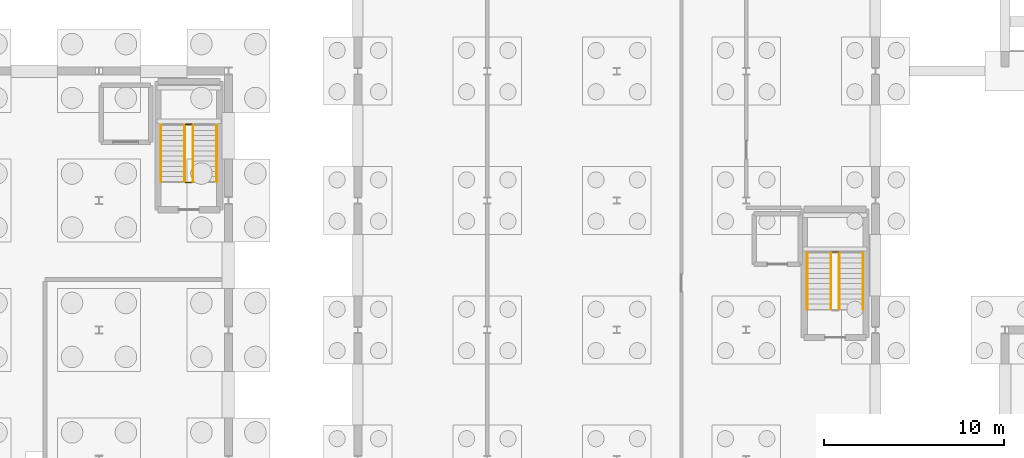
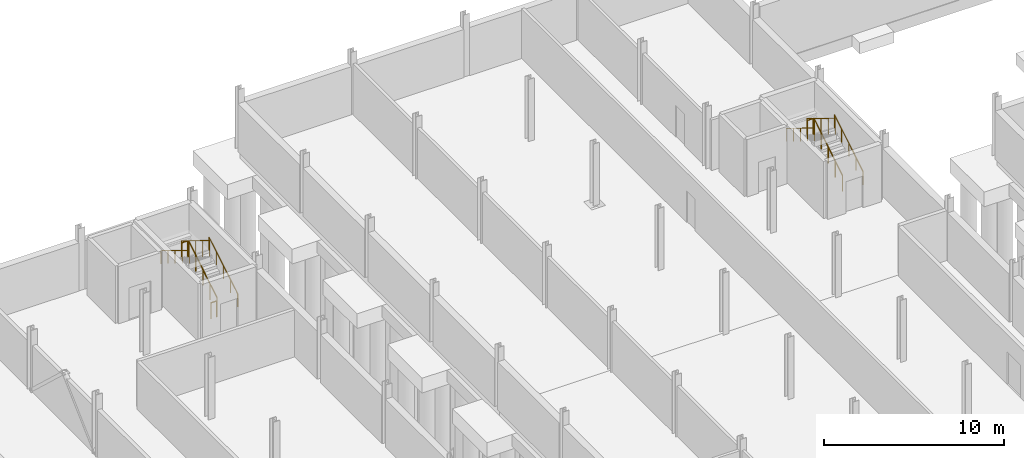
# One storey, part 47 of 50: 11 railings.
"""IFC4 building model written with IfcOpenShell, lengths in metres."""

from ifc_helpers import new_model, si_unit, direction, frame, origin, origin_2d, place, context, subcontext, project, spatial, circle, extrude, material, layer, layer_set, type_object, element, save


model = new_model("IFC4")

# Units and contexts
model_context = context("Model", 3, precision=1e-05, world=origin(), true_north=direction((0.0, 1.0)))
body_context = subcontext(model_context, "Body", "Model", "MODEL_VIEW")
ifc_project = project(units=[si_unit("LENGTHUNIT", "METRE"), si_unit("AREAUNIT", "SQUARE_METRE"), si_unit("VOLUMEUNIT", "CUBIC_METRE"), si_unit("PLANEANGLEUNIT", "RADIAN"), si_unit("MASSUNIT", "GRAM", prefix="KILO")], contexts=[model_context])

# Site, building, storey
site_placement = place(None, origin())
site = spatial("IfcSite", under=ifc_project, at=site_placement, CompositionType="ELEMENT")
building_placement = place(site_placement, origin())
building = spatial("IfcBuilding", under=site, at=building_placement, Name="Narikvali Park Central Library", CompositionType="ELEMENT")
storey_placement = place(building_placement, frame((0.0, 0.0, -4.199951171875)))
storey = spatial("IfcBuildingStorey", under=building, at=storey_placement, Name="B1", CompositionType="ELEMENT", Elevation=-4.199951171875)

# Railings
ifc_material_1 = material(Name="Brushed Stainless Steel S355", Category="steel")
ifc_layer_1 = layer(ifc_material_1, 0.044921875, Name="Brushed Stainless Steel S355")
ifc_layer_set_1 = layer_set([ifc_layer_1], Name="Brushed Stainless Steel S355")
railing_type_1 = type_object("IfcRailingType", Name="Stair Tubular Steel Handrail 900", PredefinedType="HANDRAIL", material=ifc_layer_set_1)
railing_1_placement = place(storey_placement, frame((56.89990234375, 94.75, 0.175048828125)))
element("IfcRailing", 1, at=railing_1_placement, inside=storey, type_object=railing_type_1, Name="B1 ST-08 stair handrail 1", PredefinedType="HANDRAIL", context=body_context, shape_type="SweptSolid", body=[
    extrude(circle(Radius=0.02392578125, at=origin_2d()), frame((0.0, 0.0, 0.8759765625), z_axis=(0.0, 0.852195625947, 0.523223293744), x_axis=(-1.0, 0.0, 0.0)), (0.0, 0.0, 1.0), 3.6787109375),
    extrude(circle(Radius=0.02099609375, at=origin_2d()), origin(), (0.0, 0.0, 1.0), 0.851806640625),
    extrude(circle(Radius=0.02099609375, at=origin_2d()), frame((0.0, 0.78369140625, 0.481201171875)), (0.0, 0.0, 1.0), 0.851806640625),
    extrude(circle(Radius=0.02099609375, at=origin_2d()), frame((0.0, 1.5673828125, 0.96240234375)), (0.0, 0.0, 1.0), 0.851806640625),
    extrude(circle(Radius=0.02099609375, at=origin_2d()), frame((0.0, 2.351318359375, 1.443603515625)), (0.0, 0.0, 1.0), 0.851806640625),
    extrude(circle(Radius=0.02099609375, at=origin_2d()), frame((0.0, 3.135009765625, 1.9248046875)), (0.0, 0.0, 1.0), 0.851806640625),
])
railing_2_placement = place(storey_placement, frame((53.800048828125, 97.885009765625, 2.27490234375)))
element("IfcRailing", 2, at=railing_2_placement, inside=storey, type_object=railing_type_1, Name="B1 ST-08 stair handrail 2", PredefinedType="HANDRAIL", context=body_context, shape_type="SweptSolid", body=[
    extrude(circle(Radius=0.02392578125, at=origin_2d()), frame((0.0, 0.0, 0.8759765625), z_axis=(0.0, -0.852166034122, 0.523271488128), x_axis=(1.0, 0.0, 0.0)), (0.0, 0.0, 1.0), 3.678955078125),
    extrude(circle(Radius=0.02099609375, at=origin_2d()), origin(), (0.0, 0.0, 1.0), 0.851806640625),
    extrude(circle(Radius=0.02099609375, at=origin_2d()), frame((0.0, -0.78369140625, 0.481201171875)), (0.0, 0.0, 1.0), 0.851806640625),
    extrude(circle(Radius=0.02099609375, at=origin_2d()), frame((0.0, -1.5673828125, 0.96240234375)), (0.0, 0.0, 1.0), 0.851806640625),
    extrude(circle(Radius=0.02099609375, at=origin_2d()), frame((0.0, -2.351318359375, 1.44384765625)), (0.0, 0.0, 1.0), 0.851806640625),
    extrude(circle(Radius=0.02099609375, at=origin_2d()), frame((0.0, -3.135009765625, 1.925048828125)), (0.0, 0.0, 1.0), 0.851806640625),
])
railing_3_placement = place(storey_placement, frame((20.949951171875, 101.85009765625, 0.175048828125)))
element("IfcRailing", 3, at=railing_3_placement, inside=storey, type_object=railing_type_1, Name="B1 ST-10 stair handrail 1", PredefinedType="HANDRAIL", context=body_context, shape_type="SweptSolid", body=[
    extrude(circle(Radius=0.02392578125, at=origin_2d()), frame((0.0, 0.0, 0.8759765625), z_axis=(0.0, 0.852195625947, 0.523223293744), x_axis=(-1.0, 0.0, 0.0)), (0.0, 0.0, 1.0), 3.6787109375),
    extrude(circle(Radius=0.02099609375, at=origin_2d()), origin(), (0.0, 0.0, 1.0), 0.851806640625),
    extrude(circle(Radius=0.02099609375, at=origin_2d()), frame((0.0, 0.78369140625, 0.481201171875)), (0.0, 0.0, 1.0), 0.851806640625),
    extrude(circle(Radius=0.02099609375, at=origin_2d()), frame((0.0, 1.5673828125, 0.96240234375)), (0.0, 0.0, 1.0), 0.851806640625),
    extrude(circle(Radius=0.02099609375, at=origin_2d()), frame((0.0, 2.351318359375, 1.443603515625)), (0.0, 0.0, 1.0), 0.851806640625),
    extrude(circle(Radius=0.02099609375, at=origin_2d()), frame((0.0, 3.135009765625, 1.9248046875)), (0.0, 0.0, 1.0), 0.851806640625),
])
railing_4_placement = place(storey_placement, frame((17.85009765625, 104.985107421875, 2.27490234375)))
element("IfcRailing", 4, at=railing_4_placement, inside=storey, type_object=railing_type_1, Name="B1 ST-10 stair handrail 2", PredefinedType="HANDRAIL", context=body_context, shape_type="SweptSolid", body=[
    extrude(circle(Radius=0.02392578125, at=origin_2d()), frame((0.0, 0.0, 0.8759765625), z_axis=(0.0, -0.852166034122, 0.523271488128), x_axis=(1.0, 0.0, 0.0)), (0.0, 0.0, 1.0), 3.678955078125),
    extrude(circle(Radius=0.02099609375, at=origin_2d()), origin(), (0.0, 0.0, 1.0), 0.851806640625),
    extrude(circle(Radius=0.02099609375, at=origin_2d()), frame((0.0, -0.78369140625, 0.481201171875)), (0.0, 0.0, 1.0), 0.851806640625),
    extrude(circle(Radius=0.02099609375, at=origin_2d()), frame((0.0, -1.5673828125, 0.96240234375)), (0.0, 0.0, 1.0), 0.851806640625),
    extrude(circle(Radius=0.02099609375, at=origin_2d()), frame((0.0, -2.351318359375, 1.44384765625)), (0.0, 0.0, 1.0), 0.851806640625),
    extrude(circle(Radius=0.02099609375, at=origin_2d()), frame((0.0, -3.135009765625, 1.925048828125)), (0.0, 0.0, 1.0), 0.851806640625),
])
ifc_material_2 = material(Name="Powder-Coated Steel S275", Category="steel")
ifc_layer_2 = layer(ifc_material_2, 0.050048828125, Name="Powder-Coated Steel S275")
ifc_layer_set_2 = layer_set([ifc_layer_2], Name="Powder-Coated Steel S275")
railing_type_2 = type_object("IfcRailingType", Name="Stair Well Steel Guardrail 1100", PredefinedType="GUARDRAIL", material=ifc_layer_set_2)
railing_5_placement = place(storey_placement, frame((55.580078125, 94.75, 0.175048828125)))
element("IfcRailing", 5, at=railing_5_placement, inside=storey, type_object=railing_type_2, Name="B1 ST-08 stair guard 1", PredefinedType="GUARDRAIL", context=body_context, shape_type="SweptSolid", body=[
    extrude(circle(Radius=0.02392578125, at=origin_2d()), frame((0.0, 0.0, 1.076171875), z_axis=(0.0, 0.852195625947, 0.523223293744), x_axis=(-1.0, 0.0, 0.0)), (0.0, 0.0, 1.0), 3.6787109375),
    extrude(circle(Radius=0.02099609375, at=origin_2d()), origin(), (0.0, 0.0, 1.0), 1.052001953125),
    extrude(circle(Radius=0.02099609375, at=origin_2d()), frame((0.0, 0.78369140625, 0.481201171875)), (0.0, 0.0, 1.0), 1.052001953125),
    extrude(circle(Radius=0.02099609375, at=origin_2d()), frame((0.0, 1.5673828125, 0.96240234375)), (0.0, 0.0, 1.0), 1.052001953125),
    extrude(circle(Radius=0.02099609375, at=origin_2d()), frame((0.0, 2.351318359375, 1.443603515625)), (0.0, 0.0, 1.0), 1.052001953125),
    extrude(circle(Radius=0.02099609375, at=origin_2d()), frame((0.0, 3.135009765625, 1.9248046875)), (0.0, 0.0, 1.0), 1.052001953125),
])
railing_6_placement = place(storey_placement, frame((55.530029296875, 97.93505859375, 2.099853515625)))
element("IfcRailing", 6, at=railing_6_placement, inside=storey, type_object=railing_type_2, Name="B1 ST-08 stair guard 2", PredefinedType="GUARDRAIL", context=body_context, shape_type="SweptSolid", body=[
    extrude(circle(Radius=0.02392578125, at=origin_2d()), frame((0.0, 0.0, 1.076171875), z_axis=(-1.0, 0.0, 0.0), x_axis=(0.0, -1.0, 0.0)), (0.0, 0.0, 1.0), 0.360107421875),
    extrude(circle(Radius=0.02099609375, at=origin_2d()), origin(), (0.0, 0.0, 1.0), 1.052001953125),
    extrude(circle(Radius=0.02099609375, at=origin_2d()), frame((-0.360107421875, 0.0, 0.0)), (0.0, 0.0, 1.0), 1.052001953125),
])
railing_7_placement = place(storey_placement, frame((55.1201171875, 97.885009765625, 2.27490234375)))
element("IfcRailing", 7, at=railing_7_placement, inside=storey, type_object=railing_type_2, Name="B1 ST-08 stair guard 3", PredefinedType="GUARDRAIL", context=body_context, shape_type="SweptSolid", body=[
    extrude(circle(Radius=0.02392578125, at=origin_2d()), frame((0.0, 0.0, 1.076171875), z_axis=(0.0, -0.852166034122, 0.523271488128), x_axis=(1.0, 0.0, 0.0)), (0.0, 0.0, 1.0), 3.678955078125),
    extrude(circle(Radius=0.02099609375, at=origin_2d()), origin(), (0.0, 0.0, 1.0), 1.052001953125),
    extrude(circle(Radius=0.02099609375, at=origin_2d()), frame((0.0, -0.78369140625, 0.481201171875)), (0.0, 0.0, 1.0), 1.052001953125),
    extrude(circle(Radius=0.02099609375, at=origin_2d()), frame((0.0, -1.5673828125, 0.96240234375)), (0.0, 0.0, 1.0), 1.052001953125),
    extrude(circle(Radius=0.02099609375, at=origin_2d()), frame((0.0, -2.351318359375, 1.44384765625)), (0.0, 0.0, 1.0), 1.052001953125),
    extrude(circle(Radius=0.02099609375, at=origin_2d()), frame((0.0, -3.135009765625, 1.925048828125)), (0.0, 0.0, 1.0), 1.052001953125),
])
railing_8_placement = place(storey_placement, frame((19.6298828125, 101.85009765625, 0.175048828125)))
element("IfcRailing", 8, at=railing_8_placement, inside=storey, type_object=railing_type_2, Name="B1 ST-10 stair guard 1", PredefinedType="GUARDRAIL", context=body_context, shape_type="SweptSolid", body=[
    extrude(circle(Radius=0.02392578125, at=origin_2d()), frame((0.0, 0.0, 1.076171875), z_axis=(0.0, 0.852195625947, 0.523223293744), x_axis=(-1.0, 0.0, 0.0)), (0.0, 0.0, 1.0), 3.6787109375),
    extrude(circle(Radius=0.02099609375, at=origin_2d()), origin(), (0.0, 0.0, 1.0), 1.052001953125),
    extrude(circle(Radius=0.02099609375, at=origin_2d()), frame((0.0, 0.78369140625, 0.481201171875)), (0.0, 0.0, 1.0), 1.052001953125),
    extrude(circle(Radius=0.02099609375, at=origin_2d()), frame((0.0, 1.5673828125, 0.96240234375)), (0.0, 0.0, 1.0), 1.052001953125),
    extrude(circle(Radius=0.02099609375, at=origin_2d()), frame((0.0, 2.351318359375, 1.443603515625)), (0.0, 0.0, 1.0), 1.052001953125),
    extrude(circle(Radius=0.02099609375, at=origin_2d()), frame((0.0, 3.135009765625, 1.9248046875)), (0.0, 0.0, 1.0), 1.052001953125),
])
railing_9_placement = place(storey_placement, frame((19.580078125, 105.034912109375, 2.099853515625)))
element("IfcRailing", 9, at=railing_9_placement, inside=storey, type_object=railing_type_2, Name="B1 ST-10 stair guard 2", PredefinedType="GUARDRAIL", context=body_context, shape_type="SweptSolid", body=[
    extrude(circle(Radius=0.02392578125, at=origin_2d()), frame((0.0, 0.0, 1.076171875), z_axis=(-1.0, 0.0, 0.0), x_axis=(0.0, -1.0, 0.0)), (0.0, 0.0, 1.0), 0.360107421875),
    extrude(circle(Radius=0.02099609375, at=origin_2d()), origin(), (0.0, 0.0, 1.0), 1.052001953125),
    extrude(circle(Radius=0.02099609375, at=origin_2d()), frame((-0.360107421875, 0.0, 0.0)), (0.0, 0.0, 1.0), 1.052001953125),
])
railing_10_placement = place(storey_placement, frame((19.169921875, 104.985107421875, 2.27490234375)))
element("IfcRailing", 10, at=railing_10_placement, inside=storey, type_object=railing_type_2, Name="B1 ST-10 stair guard 3", PredefinedType="GUARDRAIL", context=body_context, shape_type="SweptSolid", body=[
    extrude(circle(Radius=0.02392578125, at=origin_2d()), frame((0.0, 0.0, 1.076171875), z_axis=(0.0, -0.852166034122, 0.523271488128), x_axis=(1.0, 0.0, 0.0)), (0.0, 0.0, 1.0), 3.678955078125),
    extrude(circle(Radius=0.02099609375, at=origin_2d()), origin(), (0.0, 0.0, 1.0), 1.052001953125),
    extrude(circle(Radius=0.02099609375, at=origin_2d()), frame((0.0, -0.78369140625, 0.481201171875)), (0.0, 0.0, 1.0), 1.052001953125),
    extrude(circle(Radius=0.02099609375, at=origin_2d()), frame((0.0, -1.5673828125, 0.96240234375)), (0.0, 0.0, 1.0), 1.052001953125),
    extrude(circle(Radius=0.02099609375, at=origin_2d()), frame((0.0, -2.351318359375, 1.44384765625)), (0.0, 0.0, 1.0), 1.052001953125),
    extrude(circle(Radius=0.02099609375, at=origin_2d()), frame((0.0, -3.135009765625, 1.925048828125)), (0.0, 0.0, 1.0), 1.052001953125),
])
railing_11_placement = place(storey_placement, frame((19.580078125, 101.800048828125, 0.0)))
element("IfcRailing", 11, at=railing_11_placement, inside=storey, type_object=railing_type_2, Name="B1 ST-10 stair guard 4", PredefinedType="GUARDRAIL", context=body_context, shape_type="SweptSolid", body=[
    extrude(circle(Radius=0.02392578125, at=origin_2d()), frame((0.0, 0.0, 1.076171875), z_axis=(-1.0, 0.0, 0.0), x_axis=(0.0, -1.0, 0.0)), (0.0, 0.0, 1.0), 0.360107421875),
    extrude(circle(Radius=0.02099609375, at=origin_2d()), origin(), (0.0, 0.0, 1.0), 1.052001953125),
    extrude(circle(Radius=0.02099609375, at=origin_2d()), frame((-0.360107421875, 0.0, 0.0)), (0.0, 0.0, 1.0), 1.052001953125),
])

save(model, "model.ifc")
